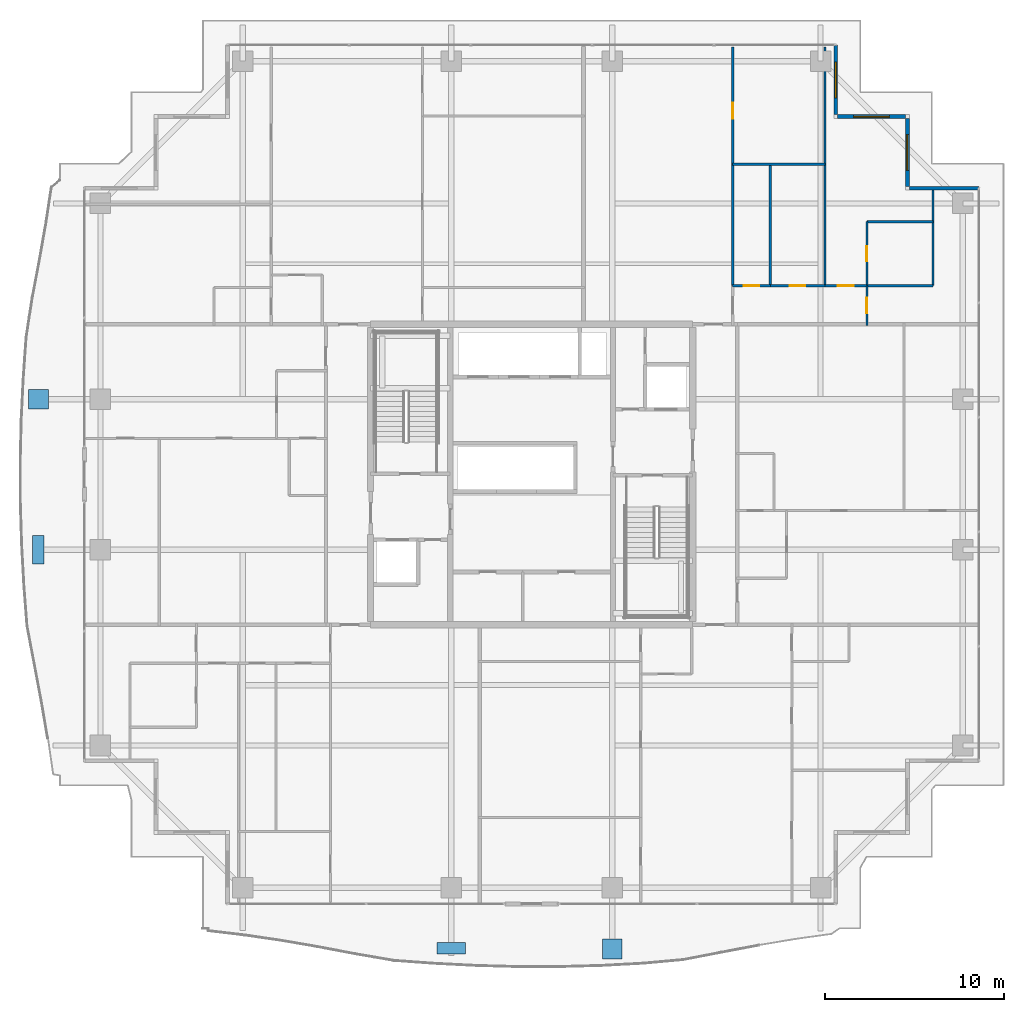
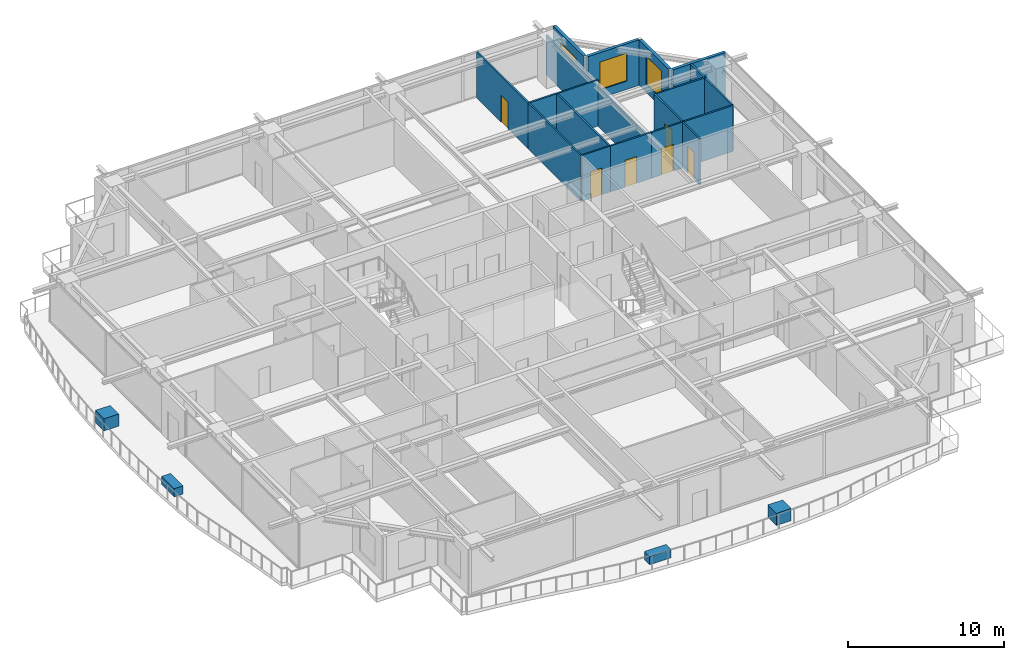
# One storey, part 28 of 35: 17 walls, 6 doors, 4 discrete accessories, 3 windows, 9 openings.
"""IFC4 building model written with IfcOpenShell, lengths in metres."""

from ifc_helpers import new_model, si_unit, direction, frame, frame_2d, origin, origin_2d, place, context, subcontext, project, spatial, rectangle, extrude, source, transform, mapped, material, layer, layer_set, type_object, element, fill, save


model = new_model("IFC4")

# Units and contexts
model_context = context("Model", 3, precision=1e-05, world=origin(), true_north=direction((0.0, 1.0)))
body_context = subcontext(model_context, "Body", "Model", "MODEL_VIEW")
ifc_project = project(units=[si_unit("LENGTHUNIT", "METRE"), si_unit("AREAUNIT", "SQUARE_METRE"), si_unit("VOLUMEUNIT", "CUBIC_METRE"), si_unit("PLANEANGLEUNIT", "RADIAN"), si_unit("MASSUNIT", "GRAM", prefix="KILO")], contexts=[model_context])

# Site, building, storey
site_placement = place(None, origin())
site = spatial("IfcSite", under=ifc_project, at=site_placement, CompositionType="ELEMENT")
building_placement = place(site_placement, origin())
building = spatial("IfcBuilding", under=site, at=building_placement, Name="Serunith Strait Residences", CompositionType="ELEMENT")
storey_placement = place(building_placement, frame((0.0, 0.0, 210.449951171875)))
storey = spatial("IfcBuildingStorey", under=building, at=storey_placement, Name="L52", CompositionType="ELEMENT", Elevation=210.449951171875)

# Wall
ifc_material_1 = material(Name="Pale-Champagne Aluminium Insulated Panel", Category="aluminium")
ifc_layer_1 = layer(ifc_material_1, 0.219970703125, Name="Pale-Champagne Aluminium Insulated Panel")
ifc_layer_set_1 = layer_set([ifc_layer_1], Name="Pale-Champagne Aluminium Insulated Panel")
wall_type_1 = type_object("IfcWallType", Name="EW-ALUM-220", PredefinedType="ELEMENTEDWALL", material=ifc_layer_set_1)
wall_1_placement = place(storey_placement, frame((57.39990234375, 41.199951171875, 0.0), z_axis=(0.0, 0.0, 1.0), x_axis=(-1.0, 0.0, 0.0)))
element("IfcWall", 1, at=wall_1_placement, inside=storey, type_object=wall_type_1, Name="L52 Girih Serrated Corner Wall 07", PredefinedType="ELEMENTEDWALL", context=body_context, shape_type="SweptSolid", body=[
    extrude(rectangle(XDim=3.889892578125, YDim=0.219970703125, at=frame_2d((1.94482421875, 0.0))), origin(), (0.0, 0.0, 1.0), 3.574951171875),
])

# Wall, opening, window
wall_2_placement = place(storey_placement, frame((53.39990234375, 41.31005859375, 0.0), z_axis=(0.0, 0.0, 1.0), x_axis=(0.0, 1.0, 0.0)))
wall_2 = element("IfcWall", 2, at=wall_2_placement, inside=storey, type_object=wall_type_1, Name="L52 Girih Serrated Corner Wall 08", PredefinedType="ELEMENTEDWALL", context=body_context, shape_type="SweptSolid", body=[
    extrude(rectangle(XDim=3.780029296875, YDim=0.219970703125, at=frame_2d((1.89013671875, 0.0))), origin(), (0.0, 0.0, 1.0), 3.574951171875),
])
opening_1_placement = place(wall_2_placement, frame((0.889892578125, 0.0, 0.64990234375)))
opening_1 = element("IfcOpeningElement", 3, at=opening_1_placement, cuts=wall_2, Name="Opening W-04", PredefinedType="OPENING", context=body_context, shape_type="SweptSolid", body=[
    extrude(rectangle(XDim=2.0, YDim=2.199951171875, at=frame_2d((1.0, 1.10009765625))), frame((0.0, 0.1201171875, 0.0), z_axis=(0.0, -1.0, 0.0), x_axis=(1.0, 0.0, 0.0)), (0.0, 0.0, 1.0), 0.239990234375),
])
ifc_material_2 = material(Name="Ceramic-Fritted Operable Aluminium Window Glass", Category="aluminium")
window_type = type_object("IfcWindowType", Name="WIN-C4", PartitioningType="TRIPLE_PANEL_VERTICAL", PredefinedType="WINDOW", material=ifc_material_2)
shared_shape_1 = source(origin(), body_context, "Body", "SweptSolid", [
    extrude(rectangle(XDim=2.0, YDim=2.199951171875, at=frame_2d((1.0, 1.10009765625))), frame((0.0, 0.030029296875, 0.0), z_axis=(0.0, -1.0, 0.0), x_axis=(1.0, 0.0, 0.0)), (0.0, 0.0, 1.0), 0.06005859375),
])
window_1_placement = place(opening_1_placement, origin())
window_1 = element("IfcWindow", 4, at=window_1_placement, inside=storey, type_object=window_type, Name="L52 Corner Operable Fritted Window 08", OverallHeight=2.199951171875, OverallWidth=2.0, PartitioningType="SINGLE_PANEL", PredefinedType="WINDOW", context=body_context, shape_type="MappedRepresentation", body=[
    mapped(shared_shape_1, transform((0.0, 0.0, 0.0), scale=1.0)),
])
fill(opening_1, window_1)

wall_3_placement = place(storey_placement, frame((53.2900390625, 45.199951171875, 0.0), z_axis=(0.0, 0.0, 1.0), x_axis=(-1.0, 0.0, 0.0)))
wall_3 = element("IfcWall", 5, at=wall_3_placement, inside=storey, type_object=wall_type_1, Name="L52 Girih Serrated Corner Wall 09", PredefinedType="ELEMENTEDWALL", context=body_context, shape_type="SweptSolid", body=[
    extrude(rectangle(XDim=3.780029296875, YDim=0.219970703125, at=frame_2d((1.89013671875, 0.0))), origin(), (0.0, 0.0, 1.0), 3.574951171875),
])
opening_2_placement = place(wall_3_placement, frame((0.889892578125, 0.0, 0.64990234375)))
opening_2 = element("IfcOpeningElement", 6, at=opening_2_placement, cuts=wall_3, Name="Opening W-04", PredefinedType="OPENING", context=body_context, shape_type="SweptSolid", body=[
    extrude(rectangle(XDim=2.0, YDim=2.199951171875, at=frame_2d((1.0, 1.10009765625))), frame((0.0, 0.1201171875, 0.0), z_axis=(0.0, -1.0, 0.0), x_axis=(1.0, 0.0, 0.0)), (0.0, 0.0, 1.0), 0.239990234375),
])
window_2_placement = place(opening_2_placement, origin())
window_2 = element("IfcWindow", 7, at=window_2_placement, inside=storey, type_object=window_type, Name="L52 Corner Operable Fritted Window 09", OverallHeight=2.199951171875, OverallWidth=2.0, PartitioningType="SINGLE_PANEL", PredefinedType="WINDOW", context=body_context, shape_type="MappedRepresentation", body=[
    mapped(shared_shape_1, transform((0.0, 0.0, 0.0), scale=1.0)),
])
fill(opening_2, window_2)

wall_4_placement = place(storey_placement, frame((49.39990234375, 45.31005859375, 0.0), z_axis=(0.0, 0.0, 1.0), x_axis=(0.0, 1.0, 0.0)))
wall_4 = element("IfcWall", 8, at=wall_4_placement, inside=storey, type_object=wall_type_1, Name="L52 Girih Serrated Corner Wall 10", PredefinedType="ELEMENTEDWALL", context=body_context, shape_type="SweptSolid", body=[
    extrude(rectangle(XDim=3.889892578125, YDim=0.219970703125, at=frame_2d((1.94482421875, 0.0))), origin(), (0.0, 0.0, 1.0), 3.574951171875),
])
opening_3_placement = place(wall_4_placement, frame((0.945068359375, 0.0, 0.64990234375)))
opening_3 = element("IfcOpeningElement", 9, at=opening_3_placement, cuts=wall_4, Name="Opening W-04", PredefinedType="OPENING", context=body_context, shape_type="SweptSolid", body=[
    extrude(rectangle(XDim=2.0, YDim=2.199951171875, at=frame_2d((1.0, 1.10009765625))), frame((0.0, 0.1201171875, 0.0), z_axis=(0.0, -1.0, 0.0), x_axis=(1.0, 0.0, 0.0)), (0.0, 0.0, 1.0), 0.239990234375),
])
window_3_placement = place(opening_3_placement, origin())
window_3 = element("IfcWindow", 10, at=window_3_placement, inside=storey, type_object=window_type, Name="L52 Corner Operable Fritted Window 10", OverallHeight=2.199951171875, OverallWidth=2.0, PartitioningType="SINGLE_PANEL", PredefinedType="WINDOW", context=body_context, shape_type="MappedRepresentation", body=[
    mapped(shared_shape_1, transform((0.0, 0.0, 0.0), scale=1.0)),
])
fill(opening_3, window_3)

# Wall, opening, door
ifc_material_3 = material(Name="Lightweight steel-stud gypsum partition", Category="steel")
ifc_layer_2 = layer(ifc_material_3, 0.1201171875, Name="Lightweight steel-stud gypsum partition")
ifc_layer_set_2 = layer_set([ifc_layer_2], Name="Lightweight steel-stud gypsum partition")
wall_type_2 = type_object("IfcWallType", Name="IW-PART-120", PredefinedType="PARTITIONING", material=ifc_layer_set_2)
wall_5_placement = place(storey_placement, frame((43.639892578125, 49.10498046875, 0.0), z_axis=(0.0, 0.0, 1.0), x_axis=(0.0, -1.0, 0.0)))
wall_5 = element("IfcWall", 11, at=wall_5_placement, inside=storey, type_object=wall_type_2, Name="L52 Partition Wall 069", PredefinedType="PARTITIONING", context=body_context, shape_type="SweptSolid", body=[
    extrude(rectangle(XDim=6.56494140625, YDim=0.1201171875, at=frame_2d((3.282470703125, 0.0))), origin(), (0.0, 0.0, 1.0), 3.590087890625),
])
opening_4_placement = place(wall_5_placement, frame((3.115966796875, 0.0, 0.0)))
opening_4 = element("IfcOpeningElement", 12, at=opening_4_placement, cuts=wall_5, Name="Opening D-RM900", PredefinedType="OPENING", context=body_context, shape_type="SweptSolid", body=[
    extrude(rectangle(XDim=0.89990234375, YDim=2.10009765625, at=frame_2d((0.449951171875, 1.050048828125))), frame((0.0, 0.070068359375, 0.0), z_axis=(0.0, -1.0, 0.0), x_axis=(1.0, 0.0, 0.0)), (0.0, 0.0, 1.0), 0.14013671875),
])
ifc_material_4 = material(Name="Engineered timber flush bedroom door", Category="wood")
door_type_1 = type_object("IfcDoorType", Name="ID-ROOM-900", OperationType="NOTDEFINED", PredefinedType="DOOR", material=ifc_material_4)
shared_shape_2 = source(origin(), body_context, "Body", "SweptSolid", [
    extrude(rectangle(XDim=0.89990234375, YDim=2.10009765625, at=frame_2d((0.449951171875, 1.050048828125))), frame((0.0, 0.02490234375, 0.0), z_axis=(0.0, -1.0, 0.0), x_axis=(1.0, 0.0, 0.0)), (0.0, 0.0, 1.0), 0.050048828125),
])
door_1_placement = place(opening_4_placement, origin())
door_1 = element("IfcDoor", 13, at=door_1_placement, inside=storey, type_object=door_type_1, Name="L52 Formal Dining Room 1 5204 Door", OperationType="SINGLE_SWING_LEFT", OverallHeight=2.10009765625, OverallWidth=0.89990234375, PredefinedType="DOOR", context=body_context, shape_type="MappedRepresentation", body=[
    mapped(shared_shape_2, transform((0.0, 0.0, 0.0), scale=1.0)),
])
fill(opening_4, door_1)

# Walls
wall_6_placement = place(storey_placement, frame((43.639892578125, 42.5380859375, 0.0), z_axis=(0.0, 0.0, 1.0), x_axis=(0.0, -1.0, 0.0)))
element("IfcWall", 14, at=wall_6_placement, inside=storey, type_object=wall_type_2, Name="L52 Partition Wall 070", PredefinedType="PARTITIONING", context=body_context, shape_type="SweptSolid", body=[
    extrude(rectangle(XDim=6.7861328125, YDim=0.1201171875, at=frame_2d((3.39306640625, 0.0))), origin(), (0.0, 0.0, 1.0), 3.590087890625),
])
wall_7_placement = place(storey_placement, frame((43.639892578125, 42.5400390625, 0.0), z_axis=(0.0, 0.0, 1.0), x_axis=(1.0, 0.0, 0.0)))
element("IfcWall", 15, at=wall_7_placement, inside=storey, type_object=wall_type_2, Name="L52 Partition Wall 071", PredefinedType="PARTITIONING", context=body_context, shape_type="SweptSolid", body=[
    extrude(rectangle(XDim=5.150146484375, YDim=0.1201171875, at=frame_2d((2.5751953125, 0.0))), origin(), (0.0, 0.0, 1.0), 3.590087890625),
])
wall_8_placement = place(storey_placement, frame((48.7900390625, 49.10498046875, 0.0), z_axis=(0.0, 0.0, 1.0), x_axis=(0.0, -1.0, 0.0)))
element("IfcWall", 16, at=wall_8_placement, inside=storey, type_object=wall_type_2, Name="L52 Partition Wall 072", PredefinedType="PARTITIONING", context=body_context, shape_type="SweptSolid", body=[
    extrude(rectangle(XDim=13.35498046875, YDim=0.1201171875, at=frame_2d((6.677490234375, 0.0))), origin(), (0.0, 0.0, 1.0), 3.1220703125),
])
wall_9_placement = place(storey_placement, frame((45.739990234375, 42.5400390625, 0.0), z_axis=(0.0, 0.0, 1.0), x_axis=(0.0, -1.0, 0.0)))
element("IfcWall", 17, at=wall_9_placement, inside=storey, type_object=wall_type_2, Name="L52 Partition Wall 073", PredefinedType="PARTITIONING", context=body_context, shape_type="SweptSolid", body=[
    extrude(rectangle(XDim=6.7900390625, YDim=0.1201171875, at=frame_2d((3.39501953125, 0.0))), origin(), (0.0, 0.0, 1.0), 3.590087890625),
])

# Wall, opening, door
wall_10_placement = place(storey_placement, frame((43.639892578125, 35.75, 0.0), z_axis=(0.0, 0.0, 1.0), x_axis=(1.0, 0.0, 0.0)))
wall_10 = element("IfcWall", 18, at=wall_10_placement, inside=storey, type_object=wall_type_2, Name="L52 Partition Wall 074", PredefinedType="PARTITIONING", context=body_context, shape_type="SweptSolid", body=[
    extrude(rectangle(XDim=2.10009765625, YDim=0.1201171875, at=frame_2d((1.050048828125, 0.0))), origin(), (0.0, 0.0, 1.0), 3.590087890625),
])
opening_5_placement = place(wall_10_placement, frame((0.625, 0.0, 0.0)))
opening_5 = element("IfcOpeningElement", 19, at=opening_5_placement, cuts=wall_10, Name="Opening D-BTH850", PredefinedType="OPENING", context=body_context, shape_type="SweptSolid", body=[
    extrude(rectangle(XDim=0.85009765625, YDim=2.10009765625, at=frame_2d((0.425048828125, 1.050048828125))), frame((0.0, 0.070068359375, 0.0), z_axis=(0.0, -1.0, 0.0), x_axis=(1.0, 0.0, 0.0)), (0.0, 0.0, 1.0), 0.14013671875),
])
ifc_material_5 = material(Name="Moisture-resistant timber bathroom door", Category="wood")
door_type_2 = type_object("IfcDoorType", Name="ID-BATH-850", OperationType="NOTDEFINED", PredefinedType="DOOR", material=ifc_material_5)
shared_shape_3 = source(origin(), body_context, "Body", "SweptSolid", [
    extrude(rectangle(XDim=0.85009765625, YDim=2.10009765625, at=frame_2d((0.425048828125, 1.050048828125))), frame((0.0, 0.02490234375, 0.0), z_axis=(0.0, -1.0, 0.0), x_axis=(1.0, 0.0, 0.0)), (0.0, 0.0, 1.0), 0.050048828125),
])
door_2_placement = place(opening_5_placement, origin())
door_2 = element("IfcDoor", 20, at=door_2_placement, inside=storey, type_object=door_type_2, Name="L52 Bathroom 5204 Door", OperationType="SINGLE_SWING_RIGHT", OverallHeight=2.10009765625, OverallWidth=0.85009765625, PredefinedType="DOOR", context=body_context, shape_type="MappedRepresentation", body=[
    mapped(shared_shape_3, transform((0.0, 0.0, 0.0), scale=1.0)),
])
fill(opening_5, door_2)

wall_11_placement = place(storey_placement, frame((45.741943359375, 35.75, 0.0), z_axis=(0.0, 0.0, 1.0), x_axis=(1.0, 0.0, 0.0)))
wall_11 = element("IfcWall", 21, at=wall_11_placement, inside=storey, type_object=wall_type_2, Name="L52 Partition Wall 075", PredefinedType="PARTITIONING", context=body_context, shape_type="SweptSolid", body=[
    extrude(rectangle(XDim=3.048095703125, YDim=0.1201171875, at=frame_2d((1.52392578125, 0.0))), origin(), (0.0, 0.0, 1.0), 3.590087890625),
])
opening_6_placement = place(wall_11_placement, frame((1.09912109375, 0.0, 0.0)))
opening_6 = element("IfcOpeningElement", 22, at=opening_6_placement, cuts=wall_11, Name="Opening D-RM850", PredefinedType="OPENING", context=body_context, shape_type="SweptSolid", body=[
    extrude(rectangle(XDim=0.85009765625, YDim=2.10009765625, at=frame_2d((0.425048828125, 1.050048828125))), frame((0.0, 0.070068359375, 0.0), z_axis=(0.0, -1.0, 0.0), x_axis=(1.0, 0.0, 0.0)), (0.0, 0.0, 1.0), 0.14013671875),
])
ifc_material_6 = material(Name="Engineered timber flush study and kitchen door", Category="wood")
door_type_3 = type_object("IfcDoorType", Name="ID-ROOM-850", OperationType="NOTDEFINED", PredefinedType="DOOR", material=ifc_material_6)
door_3_placement = place(opening_6_placement, origin())
door_3 = element("IfcDoor", 23, at=door_3_placement, inside=storey, type_object=door_type_3, Name="L52 Kitchen 5204 Door", OperationType="SINGLE_SWING_LEFT", OverallHeight=2.10009765625, OverallWidth=0.85009765625, PredefinedType="DOOR", context=body_context, shape_type="MappedRepresentation", body=[
    mapped(shared_shape_3, transform((0.0, 0.0, 0.0), scale=1.0)),
])
fill(opening_6, door_3)

wall_12_placement = place(storey_placement, frame((48.7919921875, 35.75, 0.0), z_axis=(0.0, 0.0, 1.0), x_axis=(1.0, 0.0, 0.0)))
wall_12 = element("IfcWall", 24, at=wall_12_placement, inside=storey, type_object=wall_type_2, Name="L52 Partition Wall 076", PredefinedType="PARTITIONING", context=body_context, shape_type="SweptSolid", body=[
    extrude(rectangle(XDim=2.347900390625, YDim=0.1201171875, at=frame_2d((1.173828125, 0.0))), origin(), (0.0, 0.0, 1.0), 3.590087890625),
])
opening_7_placement = place(wall_12_placement, frame((0.72412109375, 0.0, 0.0)))
opening_7 = element("IfcOpeningElement", 25, at=opening_7_placement, cuts=wall_12, Name="Opening D-RM900", PredefinedType="OPENING", context=body_context, shape_type="SweptSolid", body=[
    extrude(rectangle(XDim=0.89990234375, YDim=2.10009765625, at=frame_2d((0.449951171875, 1.050048828125))), frame((0.0, 0.070068359375, 0.0), z_axis=(0.0, -1.0, 0.0), x_axis=(1.0, 0.0, 0.0)), (0.0, 0.0, 1.0), 0.14013671875),
])
door_4_placement = place(opening_7_placement, origin())
door_4 = element("IfcDoor", 26, at=door_4_placement, inside=storey, type_object=door_type_1, Name="L52 Master Bedroom E 5204 Door", OperationType="SINGLE_SWING_RIGHT", OverallHeight=2.10009765625, OverallWidth=0.89990234375, PredefinedType="DOOR", context=body_context, shape_type="MappedRepresentation", body=[
    mapped(shared_shape_2, transform((0.0, 0.0, 0.0), scale=1.0)),
])
fill(opening_7, door_4)

# Walls
wall_13_placement = place(storey_placement, frame((51.139892578125, 39.3291015625, 0.0), z_axis=(0.0, 0.0, 1.0), x_axis=(1.0, 0.0, 0.0)))
element("IfcWall", 27, at=wall_13_placement, inside=storey, type_object=wall_type_2, Name="L52 Partition Wall 077", PredefinedType="PARTITIONING", context=body_context, shape_type="SweptSolid", body=[
    extrude(rectangle(XDim=3.7001953125, YDim=0.1201171875, at=frame_2d((1.85009765625, 0.0))), origin(), (0.0, 0.0, 1.0), 3.590087890625),
])
wall_14_placement = place(storey_placement, frame((54.840087890625, 41.10498046875, 0.0), z_axis=(0.0, 0.0, 1.0), x_axis=(0.0, -1.0, 0.0)))
element("IfcWall", 28, at=wall_14_placement, inside=storey, type_object=wall_type_2, Name="L52 Partition Wall 078", PredefinedType="PARTITIONING", context=body_context, shape_type="SweptSolid", body=[
    extrude(rectangle(XDim=5.35498046875, YDim=0.1201171875, at=frame_2d((2.677490234375, 0.0))), origin(), (0.0, 0.0, 1.0), 3.590087890625),
])
wall_15_placement = place(storey_placement, frame((51.14208984375, 35.75, 0.0), z_axis=(0.0, 0.0, 1.0), x_axis=(1.0, 0.0, 0.0)))
element("IfcWall", 29, at=wall_15_placement, inside=storey, type_object=wall_type_2, Name="L52 Partition Wall 079", PredefinedType="PARTITIONING", context=body_context, shape_type="SweptSolid", body=[
    extrude(rectangle(XDim=3.697998046875, YDim=0.1201171875, at=frame_2d((1.84912109375, 0.0))), origin(), (0.0, 0.0, 1.0), 3.590087890625),
])

# Wall, opening, door
wall_16_placement = place(storey_placement, frame((51.139892578125, 39.3291015625, 0.0), z_axis=(0.0, 0.0, 1.0), x_axis=(0.0, -1.0, 0.0)))
wall_16 = element("IfcWall", 30, at=wall_16_placement, inside=storey, type_object=wall_type_2, Name="L52 Partition Wall 080", PredefinedType="PARTITIONING", context=body_context, shape_type="SweptSolid", body=[
    extrude(rectangle(XDim=3.5791015625, YDim=0.1201171875, at=frame_2d((1.78955078125, 0.0))), origin(), (0.0, 0.0, 1.0), 3.590087890625),
])
opening_8_placement = place(wall_16_placement, frame((1.364990234375, 0.0, 0.0)))
opening_8 = element("IfcOpeningElement", 31, at=opening_8_placement, cuts=wall_16, Name="Opening D-BTH850", PredefinedType="OPENING", context=body_context, shape_type="SweptSolid", body=[
    extrude(rectangle(XDim=0.85009765625, YDim=2.10009765625, at=frame_2d((0.425048828125, 1.050048828125))), frame((0.0, 0.070068359375, 0.0), z_axis=(0.0, -1.0, 0.0), x_axis=(1.0, 0.0, 0.0)), (0.0, 0.0, 1.0), 0.14013671875),
])
door_5_placement = place(opening_8_placement, origin())
door_5 = element("IfcDoor", 32, at=door_5_placement, inside=storey, type_object=door_type_2, Name="L52 En-suite Bathroom E 5204 Door", OperationType="SINGLE_SWING_LEFT", OverallHeight=2.10009765625, OverallWidth=0.85009765625, PredefinedType="DOOR", context=body_context, shape_type="MappedRepresentation", body=[
    mapped(shared_shape_3, transform((0.0, 0.0, 0.0), scale=1.0)),
])
fill(opening_8, door_5)

wall_17_placement = place(storey_placement, frame((51.139892578125, 35.748046875, 0.0), z_axis=(0.0, 0.0, 1.0), x_axis=(0.0, -1.0, 0.0)))
wall_17 = element("IfcWall", 33, at=wall_17_placement, inside=storey, type_object=wall_type_2, Name="L52 Partition Wall 081", PredefinedType="PARTITIONING", context=body_context, shape_type="SweptSolid", body=[
    extrude(rectangle(XDim=2.2080078125, YDim=0.1201171875, at=frame_2d((1.10400390625, 0.0))), origin(), (0.0, 0.0, 1.0), 3.590087890625),
])
opening_9_placement = place(wall_17_placement, frame((0.678955078125, 0.0, 0.0)))
opening_9 = element("IfcOpeningElement", 34, at=opening_9_placement, cuts=wall_17, Name="Opening D-RM850", PredefinedType="OPENING", context=body_context, shape_type="SweptSolid", body=[
    extrude(rectangle(XDim=0.85009765625, YDim=2.10009765625, at=frame_2d((0.425048828125, 1.050048828125))), frame((0.0, 0.070068359375, 0.0), z_axis=(0.0, -1.0, 0.0), x_axis=(1.0, 0.0, 0.0)), (0.0, 0.0, 1.0), 0.14013671875),
])
door_6_placement = place(opening_9_placement, origin())
door_6 = element("IfcDoor", 35, at=door_6_placement, inside=storey, type_object=door_type_3, Name="L52 Wardrobe E 5204 Door", OperationType="SINGLE_SWING_RIGHT", OverallHeight=2.10009765625, OverallWidth=0.85009765625, PredefinedType="DOOR", context=body_context, shape_type="MappedRepresentation", body=[
    mapped(shared_shape_3, transform((0.0, 0.0, 0.0), scale=1.0)),
])
fill(opening_9, door_6)

# Discrete accessories
ifc_material_7 = material(Name="GFRC Root-Anchored Structural Planter")
discrete_accessory_type_1 = type_object("IfcDiscreteAccessoryType", Name="ACC-PLANTER-TREE", PredefinedType="USERDEFINED", material=ifc_material_7)
shared_shape_4 = source(origin(), body_context, "Body", "SweptSolid", [
    extrude(rectangle(XDim=1.10009765625, YDim=1.10009765625, at=origin_2d()), origin(), (0.0, 0.0, 1.0), 0.949951171875),
])
for number, where, z_axis, x_axis, name in (
    (36, (36.89990234375, -1.31884765625, -0.0498046875), (0.0, 0.0, 1.0), (1.0, 0.0, 0.0), "L52 Vertical-Forest Tree Planter 03"),
    (37, (4.836669921875, 29.39990234375, -0.0498046875), (0.0, 0.0, 1.0), (0.0, -1.0, 0.0), "L52 Vertical-Forest Tree Planter 15"),
):
    element("IfcDiscreteAccessory", number, at=place(storey_placement, frame(where, z_axis=z_axis, x_axis=x_axis)), inside=storey, type_object=discrete_accessory_type_1, Name=name, ObjectType="PLANTER", PredefinedType="USERDEFINED", context=body_context, shape_type="MappedRepresentation", body=[
        mapped(shared_shape_4, transform((0.0, 0.0, 0.0), scale=1.0)),
    ])
ifc_material_8 = material(Name="GFRC Irrigated Shrub Trough Planter")
discrete_accessory_type_2 = type_object("IfcDiscreteAccessoryType", Name="ACC-PLANTER-SHRUB", PredefinedType="USERDEFINED", material=ifc_material_8)
shared_shape_5 = source(origin(), body_context, "Body", "SweptSolid", [
    extrude(rectangle(XDim=1.60009765625, YDim=0.64990234375, at=origin_2d()), origin(), (0.0, 0.0, 1.0), 0.64990234375),
])
for number, where, z_axis, x_axis, name in (
    (38, (27.89990234375, -1.2802734375, -0.0498046875), (0.0, 0.0, 1.0), (1.0, 0.0, 0.0), "L52 Vertical-Forest Shrub Planter 02"),
    (39, (4.8212890625, 21.0, -0.0498046875), (0.0, 0.0, 1.0), (0.0, -1.0, 0.0), "L52 Vertical-Forest Shrub Planter 14"),
):
    element("IfcDiscreteAccessory", number, at=place(storey_placement, frame(where, z_axis=z_axis, x_axis=x_axis)), inside=storey, type_object=discrete_accessory_type_2, Name=name, ObjectType="PLANTER", PredefinedType="USERDEFINED", context=body_context, shape_type="MappedRepresentation", body=[
        mapped(shared_shape_5, transform((0.0, 0.0, 0.0), scale=1.0)),
    ])

save(model, "model.ifc")
